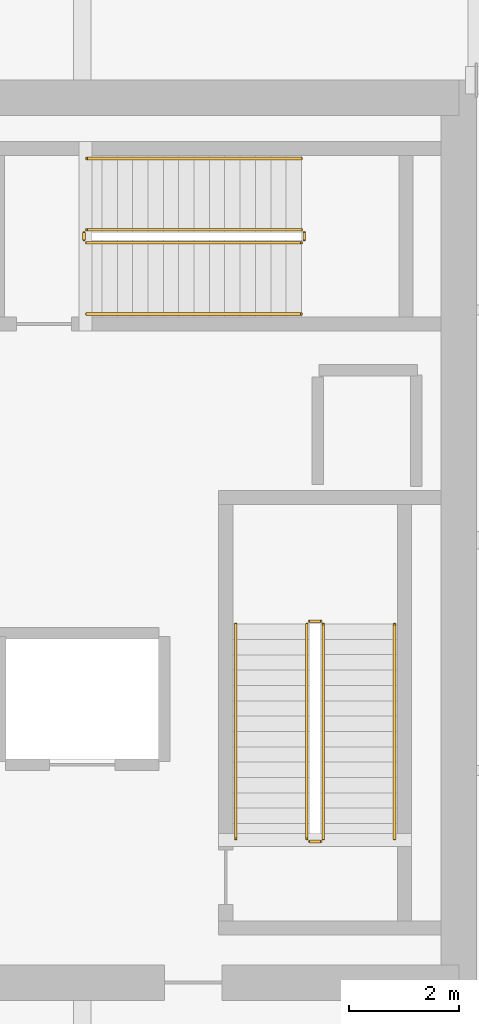
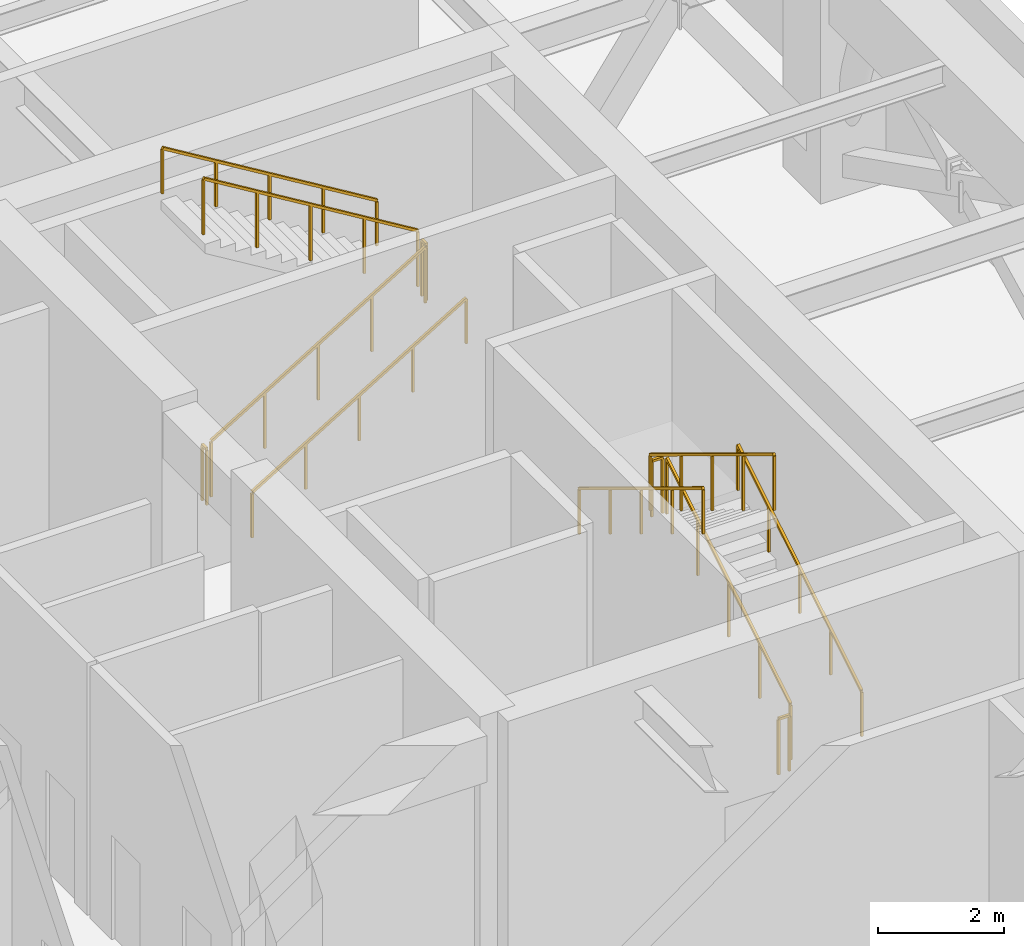
# One storey, part 16 of 16: 12 railings.
"""IFC4 building model written with IfcOpenShell, lengths in metres."""

from ifc_helpers import new_model, si_unit, direction, frame, origin, origin_2d, place, context, subcontext, project, spatial, rectangle, extrude, material, type_object, element, save


model = new_model("IFC4")

# Units and contexts
model_context = context("Model", 3, precision=1e-05, world=origin(), true_north=direction((0.0, 1.0)))
body_context = subcontext(model_context, "Body", "Model", "MODEL_VIEW")
ifc_project = project(units=[si_unit("LENGTHUNIT", "METRE"), si_unit("AREAUNIT", "SQUARE_METRE"), si_unit("VOLUMEUNIT", "CUBIC_METRE"), si_unit("PLANEANGLEUNIT", "RADIAN"), si_unit("MASSUNIT", "GRAM", prefix="KILO")], contexts=[model_context])

# Site, building, storey
site_placement = place(None, origin())
site = spatial("IfcSite", under=ifc_project, at=site_placement, CompositionType="ELEMENT")
building_placement = place(site_placement, origin())
building = spatial("IfcBuilding", under=site, at=building_placement, Name="Kiyonajd Concourse Tower", CompositionType="ELEMENT")
storey_placement = place(building_placement, frame((0.0, 0.0, 209.699951171875)))
storey = spatial("IfcBuildingStorey", under=building, at=storey_placement, Name="L53", CompositionType="ELEMENT", Elevation=209.699951171875)

# Railings
ifc_material_1 = material(Name="Steel ASTM A500 Grade C", Category="steel")
railing_type_1 = type_object("IfcRailingType", Name="RL-GRD-STR", PredefinedType="GUARDRAIL", material=ifc_material_1)
railing_1_placement = place(storey_placement, frame((60.800048828125, 30.550048828125, 0.170166015625)))
element("IfcRailing", 1, at=railing_1_placement, inside=storey, type_object=railing_type_1, Name="L53 ST2 stair guard 1", PredefinedType="GUARDRAIL", context=body_context, shape_type="SweptSolid", body=[
    extrude(rectangle(XDim=0.048095703125, YDim=0.048095703125, at=origin_2d()), frame((0.0, 0.0, 1.076171875), z_axis=(0.0, 0.854794262968, 0.518967020143), x_axis=(-1.0, 0.0, 0.0)), (0.0, 0.0, 1.0), 4.585693359375),
    extrude(rectangle(XDim=0.0419921875, YDim=0.0419921875, at=origin_2d()), origin(), (0.0, 0.0, 1.0), 1.052001953125),
    extrude(rectangle(XDim=0.0419921875, YDim=0.0419921875, at=origin_2d()), frame((0.0, 0.97998046875, 0.594970703125)), (0.0, 0.0, 1.0), 1.052001953125),
    extrude(rectangle(XDim=0.0419921875, YDim=0.0419921875, at=origin_2d()), frame((0.0, 1.9599609375, 1.18994140625)), (0.0, 0.0, 1.0), 1.052001953125),
    extrude(rectangle(XDim=0.0419921875, YDim=0.0419921875, at=origin_2d()), frame((0.0, 2.93994140625, 1.784912109375)), (0.0, 0.0, 1.0), 1.052001953125),
    extrude(rectangle(XDim=0.0419921875, YDim=0.0419921875, at=origin_2d()), frame((0.0, 3.919921875, 2.3798828125)), (0.0, 0.0, 1.0), 1.052001953125),
])
railing_2_placement = place(storey_placement, frame((60.75, 34.52001953125, 2.550048828125)))
element("IfcRailing", 2, at=railing_2_placement, inside=storey, type_object=railing_type_1, Name="L53 ST2 stair guard 2", PredefinedType="GUARDRAIL", context=body_context, shape_type="SweptSolid", body=[
    extrude(rectangle(XDim=0.048095703125, YDim=0.048095703125, at=origin_2d()), frame((0.0, 0.0, 1.076171875), z_axis=(-1.0, 0.0, 0.0), x_axis=(0.0, -1.0, 0.0)), (0.0, 0.0, 1.0), 0.199951171875),
    extrude(rectangle(XDim=0.0419921875, YDim=0.0419921875, at=origin_2d()), origin(), (0.0, 0.0, 1.0), 1.052001953125),
    extrude(rectangle(XDim=0.0419921875, YDim=0.0419921875, at=origin_2d()), frame((-0.199951171875, 0.0, 0.0)), (0.0, 0.0, 1.0), 1.052001953125),
])
railing_3_placement = place(storey_placement, frame((60.5, 34.469970703125, 2.719970703125)))
element("IfcRailing", 3, at=railing_3_placement, inside=storey, type_object=railing_type_1, Name="L53 ST2 stair guard 3", PredefinedType="GUARDRAIL", context=body_context, shape_type="SweptSolid", body=[
    extrude(rectangle(XDim=0.048095703125, YDim=0.048095703125, at=origin_2d()), frame((0.0, 0.0, 1.076171875), z_axis=(0.0, -0.854770645689, 0.519005918337), x_axis=(1.0, 0.0, 0.0)), (0.0, 0.0, 1.0), 4.5859375),
    extrude(rectangle(XDim=0.0419921875, YDim=0.0419921875, at=origin_2d()), origin(), (0.0, 0.0, 1.0), 1.052001953125),
    extrude(rectangle(XDim=0.0419921875, YDim=0.0419921875, at=origin_2d()), frame((0.0, -0.97998046875, 0.594970703125)), (0.0, 0.0, 1.0), 1.052001953125),
    extrude(rectangle(XDim=0.0419921875, YDim=0.0419921875, at=origin_2d()), frame((0.0, -1.9599609375, 1.18994140625)), (0.0, 0.0, 1.0), 1.052001953125),
    extrude(rectangle(XDim=0.0419921875, YDim=0.0419921875, at=origin_2d()), frame((0.0, -2.93994140625, 1.78515625)), (0.0, 0.0, 1.0), 1.052001953125),
    extrude(rectangle(XDim=0.0419921875, YDim=0.0419921875, at=origin_2d()), frame((0.0, -3.919921875, 2.380126953125)), (0.0, 0.0, 1.0), 1.052001953125),
])
railing_4_placement = place(storey_placement, frame((60.75, 30.5, 0.0)))
element("IfcRailing", 4, at=railing_4_placement, inside=storey, type_object=railing_type_1, Name="L53 ST2 stair guard 4", PredefinedType="GUARDRAIL", context=body_context, shape_type="SweptSolid", body=[
    extrude(rectangle(XDim=0.048095703125, YDim=0.048095703125, at=origin_2d()), frame((0.0, 0.0, 1.076171875), z_axis=(-1.0, 0.0, 0.0), x_axis=(0.0, -1.0, 0.0)), (0.0, 0.0, 1.0), 0.199951171875),
    extrude(rectangle(XDim=0.0419921875, YDim=0.0419921875, at=origin_2d()), origin(), (0.0, 0.0, 1.0), 1.052001953125),
    extrude(rectangle(XDim=0.0419921875, YDim=0.0419921875, at=origin_2d()), frame((-0.199951171875, 0.0, 0.0)), (0.0, 0.0, 1.0), 1.052001953125),
])
railing_5_placement = place(storey_placement, frame((56.47998046875, 41.429931640625, 0.170166015625)))
element("IfcRailing", 5, at=railing_5_placement, inside=storey, type_object=railing_type_1, Name="L53 ST3 stair guard 1", PredefinedType="GUARDRAIL", context=body_context, shape_type="SweptSolid", body=[
    extrude(rectangle(XDim=0.048095703125, YDim=0.048095703125, at=origin_2d()), frame((0.0, 0.0, 1.076171875), z_axis=(0.854794262968, 0.0, 0.518967020143), x_axis=(0.0, 1.0, 0.0)), (0.0, 0.0, 1.0), 4.585693359375),
    extrude(rectangle(XDim=0.0419921875, YDim=0.0419921875, at=origin_2d()), origin(), (0.0, 0.0, 1.0), 1.052001953125),
    extrude(rectangle(XDim=0.0419921875, YDim=0.0419921875, at=origin_2d()), frame((0.97998046875, 0.0, 0.594970703125)), (0.0, 0.0, 1.0), 1.052001953125),
    extrude(rectangle(XDim=0.0419921875, YDim=0.0419921875, at=origin_2d()), frame((1.9599609375, 0.0, 1.18994140625)), (0.0, 0.0, 1.0), 1.052001953125),
    extrude(rectangle(XDim=0.0419921875, YDim=0.0419921875, at=origin_2d()), frame((2.93994140625, 0.0, 1.784912109375)), (0.0, 0.0, 1.0), 1.052001953125),
    extrude(rectangle(XDim=0.0419921875, YDim=0.0419921875, at=origin_2d()), frame((3.919921875, 0.0, 2.3798828125)), (0.0, 0.0, 1.0), 1.052001953125),
])
railing_6_placement = place(storey_placement, frame((60.449951171875, 41.47998046875, 2.550048828125)))
element("IfcRailing", 6, at=railing_6_placement, inside=storey, type_object=railing_type_1, Name="L53 ST3 stair guard 2", PredefinedType="GUARDRAIL", context=body_context, shape_type="SweptSolid", body=[
    extrude(rectangle(XDim=0.048095703125, YDim=0.048095703125, at=origin_2d()), frame((0.0, 0.0, 1.076171875), z_axis=(0.0, 1.0, 0.0), x_axis=(-1.0, 0.0, 0.0)), (0.0, 0.0, 1.0), 0.14013671875),
    extrude(rectangle(XDim=0.0419921875, YDim=0.0419921875, at=origin_2d()), origin(), (0.0, 0.0, 1.0), 1.052001953125),
    extrude(rectangle(XDim=0.0419921875, YDim=0.0419921875, at=origin_2d()), frame((0.0, 0.14013671875, 0.0)), (0.0, 0.0, 1.0), 1.052001953125),
])
railing_7_placement = place(storey_placement, frame((60.39990234375, 41.669921875, 2.719970703125)))
element("IfcRailing", 7, at=railing_7_placement, inside=storey, type_object=railing_type_1, Name="L53 ST3 stair guard 3", PredefinedType="GUARDRAIL", context=body_context, shape_type="SweptSolid", body=[
    extrude(rectangle(XDim=0.048095703125, YDim=0.048095703125, at=origin_2d()), frame((0.0, 0.0, 1.076171875), z_axis=(-0.854770645689, 0.0, 0.519005918337), x_axis=(0.0, -1.0, 0.0)), (0.0, 0.0, 1.0), 4.5859375),
    extrude(rectangle(XDim=0.0419921875, YDim=0.0419921875, at=origin_2d()), origin(), (0.0, 0.0, 1.0), 1.052001953125),
    extrude(rectangle(XDim=0.0419921875, YDim=0.0419921875, at=origin_2d()), frame((-0.97998046875, 0.0, 0.594970703125)), (0.0, 0.0, 1.0), 1.052001953125),
    extrude(rectangle(XDim=0.0419921875, YDim=0.0419921875, at=origin_2d()), frame((-1.9599609375, 0.0, 1.18994140625)), (0.0, 0.0, 1.0), 1.052001953125),
    extrude(rectangle(XDim=0.0419921875, YDim=0.0419921875, at=origin_2d()), frame((-2.93994140625, 0.0, 1.78515625)), (0.0, 0.0, 1.0), 1.052001953125),
    extrude(rectangle(XDim=0.0419921875, YDim=0.0419921875, at=origin_2d()), frame((-3.919921875, 0.0, 2.380126953125)), (0.0, 0.0, 1.0), 1.052001953125),
])
railing_8_placement = place(storey_placement, frame((56.429931640625, 41.47998046875, 0.0)))
element("IfcRailing", 8, at=railing_8_placement, inside=storey, type_object=railing_type_1, Name="L53 ST3 stair guard 4", PredefinedType="GUARDRAIL", context=body_context, shape_type="SweptSolid", body=[
    extrude(rectangle(XDim=0.048095703125, YDim=0.048095703125, at=origin_2d()), frame((0.0, 0.0, 1.076171875), z_axis=(0.0, 1.0, 0.0), x_axis=(-1.0, 0.0, 0.0)), (0.0, 0.0, 1.0), 0.14013671875),
    extrude(rectangle(XDim=0.0419921875, YDim=0.0419921875, at=origin_2d()), origin(), (0.0, 0.0, 1.0), 1.052001953125),
    extrude(rectangle(XDim=0.0419921875, YDim=0.0419921875, at=origin_2d()), frame((0.0, 0.14013671875, 0.0)), (0.0, 0.0, 1.0), 1.052001953125),
])
ifc_material_2 = material(Name="Brushed Stainless Steel Cab Assembly", Category="steel")
railing_type_2 = type_object("IfcRailingType", Name="RL-HND-900", PredefinedType="HANDRAIL", material=ifc_material_2)
railing_9_placement = place(storey_placement, frame((62.10009765625, 30.550048828125, 0.170166015625)))
element("IfcRailing", 9, at=railing_9_placement, inside=storey, type_object=railing_type_2, Name="L53 ST2 stair handrail 1", PredefinedType="HANDRAIL", context=body_context, shape_type="SweptSolid", body=[
    extrude(rectangle(XDim=0.048095703125, YDim=0.048095703125, at=origin_2d()), frame((0.0, 0.0, 0.8759765625), z_axis=(0.0, 0.854794262968, 0.518967020143), x_axis=(-1.0, 0.0, 0.0)), (0.0, 0.0, 1.0), 4.585693359375),
    extrude(rectangle(XDim=0.0419921875, YDim=0.0419921875, at=origin_2d()), origin(), (0.0, 0.0, 1.0), 0.851806640625),
    extrude(rectangle(XDim=0.0419921875, YDim=0.0419921875, at=origin_2d()), frame((0.0, 0.97998046875, 0.594970703125)), (0.0, 0.0, 1.0), 0.851806640625),
    extrude(rectangle(XDim=0.0419921875, YDim=0.0419921875, at=origin_2d()), frame((0.0, 1.9599609375, 1.18994140625)), (0.0, 0.0, 1.0), 0.851806640625),
    extrude(rectangle(XDim=0.0419921875, YDim=0.0419921875, at=origin_2d()), frame((0.0, 2.93994140625, 1.784912109375)), (0.0, 0.0, 1.0), 0.851806640625),
    extrude(rectangle(XDim=0.0419921875, YDim=0.0419921875, at=origin_2d()), frame((0.0, 3.919921875, 2.3798828125)), (0.0, 0.0, 1.0), 0.851806640625),
])
railing_10_placement = place(storey_placement, frame((59.199951171875, 34.469970703125, 2.719970703125)))
element("IfcRailing", 10, at=railing_10_placement, inside=storey, type_object=railing_type_2, Name="L53 ST2 stair handrail 2", PredefinedType="HANDRAIL", context=body_context, shape_type="SweptSolid", body=[
    extrude(rectangle(XDim=0.048095703125, YDim=0.048095703125, at=origin_2d()), frame((0.0, 0.0, 0.8759765625), z_axis=(0.0, -0.854770645689, 0.519005918337), x_axis=(1.0, 0.0, 0.0)), (0.0, 0.0, 1.0), 4.5859375),
    extrude(rectangle(XDim=0.0419921875, YDim=0.0419921875, at=origin_2d()), origin(), (0.0, 0.0, 1.0), 0.851806640625),
    extrude(rectangle(XDim=0.0419921875, YDim=0.0419921875, at=origin_2d()), frame((0.0, -0.97998046875, 0.594970703125)), (0.0, 0.0, 1.0), 0.851806640625),
    extrude(rectangle(XDim=0.0419921875, YDim=0.0419921875, at=origin_2d()), frame((0.0, -1.9599609375, 1.18994140625)), (0.0, 0.0, 1.0), 0.851806640625),
    extrude(rectangle(XDim=0.0419921875, YDim=0.0419921875, at=origin_2d()), frame((0.0, -2.93994140625, 1.78515625)), (0.0, 0.0, 1.0), 0.851806640625),
    extrude(rectangle(XDim=0.0419921875, YDim=0.0419921875, at=origin_2d()), frame((0.0, -3.919921875, 2.380126953125)), (0.0, 0.0, 1.0), 0.851806640625),
])
railing_11_placement = place(storey_placement, frame((56.47998046875, 40.1298828125, 0.170166015625)))
element("IfcRailing", 11, at=railing_11_placement, inside=storey, type_object=railing_type_2, Name="L53 ST3 stair handrail 1", PredefinedType="HANDRAIL", context=body_context, shape_type="SweptSolid", body=[
    extrude(rectangle(XDim=0.048095703125, YDim=0.048095703125, at=origin_2d()), frame((0.0, 0.0, 0.8759765625), z_axis=(0.854794262968, 0.0, 0.518967020143), x_axis=(0.0, 1.0, 0.0)), (0.0, 0.0, 1.0), 4.585693359375),
    extrude(rectangle(XDim=0.0419921875, YDim=0.0419921875, at=origin_2d()), origin(), (0.0, 0.0, 1.0), 0.851806640625),
    extrude(rectangle(XDim=0.0419921875, YDim=0.0419921875, at=origin_2d()), frame((0.97998046875, 0.0, 0.594970703125)), (0.0, 0.0, 1.0), 0.851806640625),
    extrude(rectangle(XDim=0.0419921875, YDim=0.0419921875, at=origin_2d()), frame((1.9599609375, 0.0, 1.18994140625)), (0.0, 0.0, 1.0), 0.851806640625),
    extrude(rectangle(XDim=0.0419921875, YDim=0.0419921875, at=origin_2d()), frame((2.93994140625, 0.0, 1.784912109375)), (0.0, 0.0, 1.0), 0.851806640625),
    extrude(rectangle(XDim=0.0419921875, YDim=0.0419921875, at=origin_2d()), frame((3.919921875, 0.0, 2.3798828125)), (0.0, 0.0, 1.0), 0.851806640625),
])
railing_12_placement = place(storey_placement, frame((60.39990234375, 42.969970703125, 2.719970703125)))
element("IfcRailing", 12, at=railing_12_placement, inside=storey, type_object=railing_type_2, Name="L53 ST3 stair handrail 2", PredefinedType="HANDRAIL", context=body_context, shape_type="SweptSolid", body=[
    extrude(rectangle(XDim=0.048095703125, YDim=0.048095703125, at=origin_2d()), frame((0.0, 0.0, 0.8759765625), z_axis=(-0.854770645689, 0.0, 0.519005918337), x_axis=(0.0, -1.0, 0.0)), (0.0, 0.0, 1.0), 4.5859375),
    extrude(rectangle(XDim=0.0419921875, YDim=0.0419921875, at=origin_2d()), origin(), (0.0, 0.0, 1.0), 0.851806640625),
    extrude(rectangle(XDim=0.0419921875, YDim=0.0419921875, at=origin_2d()), frame((-0.97998046875, 0.0, 0.594970703125)), (0.0, 0.0, 1.0), 0.851806640625),
    extrude(rectangle(XDim=0.0419921875, YDim=0.0419921875, at=origin_2d()), frame((-1.9599609375, 0.0, 1.18994140625)), (0.0, 0.0, 1.0), 0.851806640625),
    extrude(rectangle(XDim=0.0419921875, YDim=0.0419921875, at=origin_2d()), frame((-2.93994140625, 0.0, 1.78515625)), (0.0, 0.0, 1.0), 0.851806640625),
    extrude(rectangle(XDim=0.0419921875, YDim=0.0419921875, at=origin_2d()), frame((-3.919921875, 0.0, 2.380126953125)), (0.0, 0.0, 1.0), 0.851806640625),
])

save(model, "model.ifc")
